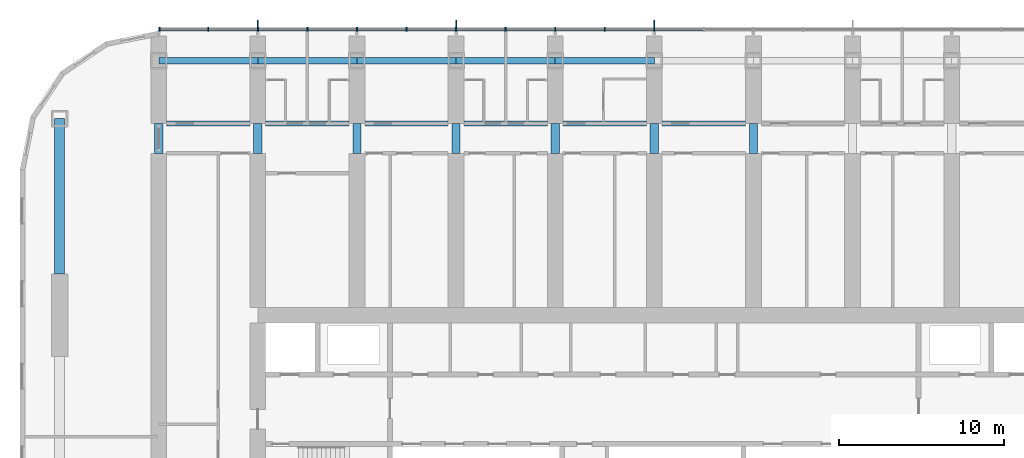
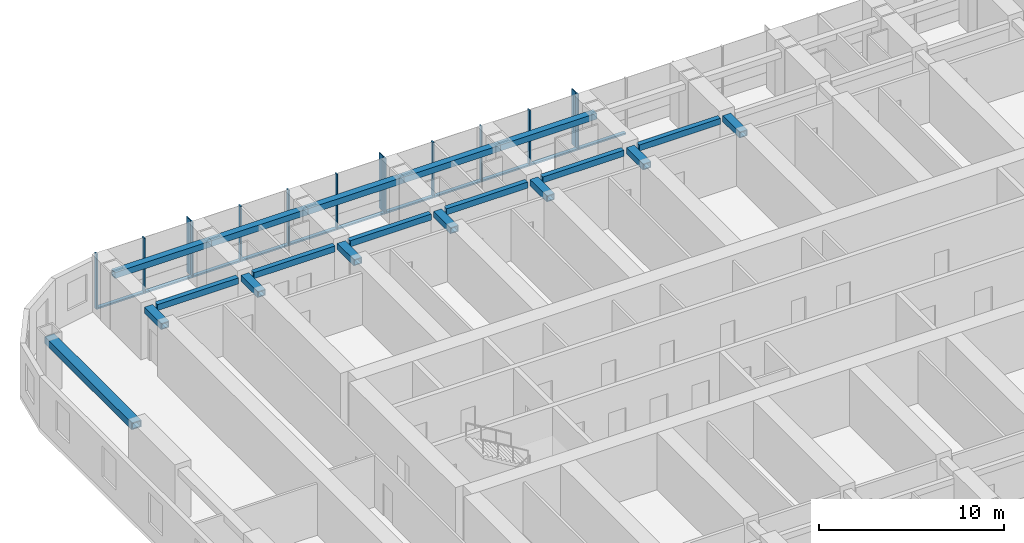
# One storey, part 4 of 20: 25 members, 19 beams, 1 element without a shape of its own.
"""IFC4 building model written with IfcOpenShell, lengths in metres."""

from ifc_helpers import new_model, si_unit, direction, frame, origin, origin_2d, place, context, subcontext, project, spatial, rectangle, hollow_rectangle, extrude, material, material_profile, profile_set, type_object, element, aggregate, save


model = new_model("IFC4")

# Units and contexts
model_context = context("Model", 3, precision=1e-05, world=origin(), true_north=direction((0.0, 1.0)))
body_context = subcontext(model_context, "Body", "Model", "MODEL_VIEW")
ifc_project = project(units=[si_unit("LENGTHUNIT", "METRE"), si_unit("AREAUNIT", "SQUARE_METRE"), si_unit("VOLUMEUNIT", "CUBIC_METRE"), si_unit("PLANEANGLEUNIT", "RADIAN"), si_unit("MASSUNIT", "GRAM", prefix="KILO")], contexts=[model_context])

# Site, building, storey
site_placement = place(None, origin())
site = spatial("IfcSite", under=ifc_project, at=site_placement, CompositionType="ELEMENT")
building_placement = place(site_placement, origin())
building = spatial("IfcBuilding", under=site, at=building_placement, Name="Orbita Commons", CompositionType="ELEMENT")
storey_placement = place(building_placement, frame((0.0, 0.0, 129.39990234375)))
storey = spatial("IfcBuildingStorey", under=building, at=storey_placement, Name="L32", CompositionType="ELEMENT", Elevation=129.39990234375)

# Curtain wall, members
ifc_material_1 = material(Name="Anodised aluminium frame, pale silver", Category="aluminium")
curtain_wall_type = type_object("IfcCurtainWallType", Name="Unitised curtain wall CW-T, vision and spandrel", PredefinedType="NOTDEFINED", material=ifc_material_1)
curtain_wall_placement = place(storey_placement, origin())
curtain_wall = element("IfcCurtainWall", 1, at=curtain_wall_placement, inside=storey, type_object=curtain_wall_type, Name="Curtain wall north L32", PredefinedType="NOTDEFINED")
ifc_material_2 = material(Name="Anodised aluminium, pale silver", Category="aluminium")
ifc_material_profile_1 = material_profile(ifc_material_2, rectangle(XDim=0.080078125, YDim=0.219970703125, at=origin_2d()), Name="AL 80x220")
ifc_profile_set_1 = profile_set([ifc_material_profile_1], Name="Anodised aluminium, pale silver")
member_type_1 = type_object("IfcMemberType", Name="Curtain wall mullion 80x220", PredefinedType="MULLION", material=ifc_profile_set_1)
member_1_placement = place(storey_placement, frame((42.0, 55.510009765625, -0.25), z_axis=(0.0, 0.0, 1.0), x_axis=(-1.0, 0.0, 0.0)))
member_1 = element("IfcMember", 2, at=member_1_placement, type_object=member_type_1, Name="Mullion 9 CW-L32-N", PredefinedType="MULLION", context=body_context, shape_type="SweptSolid", body=[
    extrude(rectangle(XDim=0.080078125, YDim=0.219970703125, at=origin_2d()), origin(), (0.0, 0.0, 1.0), 3.650146484375),
])
member_2_placement = place(storey_placement, frame((39.0, 55.510009765625, -0.25), z_axis=(0.0, 0.0, 1.0), x_axis=(-1.0, 0.0, 0.0)))
member_2 = element("IfcMember", 3, at=member_2_placement, type_object=member_type_1, Name="Mullion 10 CW-L32-N", PredefinedType="MULLION", context=body_context, shape_type="SweptSolid", body=[
    extrude(rectangle(XDim=0.080078125, YDim=0.219970703125, at=origin_2d()), origin(), (0.0, 0.0, 1.0), 3.650146484375),
])
member_3_placement = place(storey_placement, frame((36.0, 55.510009765625, -0.25), z_axis=(0.0, 0.0, 1.0), x_axis=(-1.0, 0.0, 0.0)))
member_3 = element("IfcMember", 4, at=member_3_placement, type_object=member_type_1, Name="Mullion 11 CW-L32-N", PredefinedType="MULLION", context=body_context, shape_type="SweptSolid", body=[
    extrude(rectangle(XDim=0.080078125, YDim=0.219970703125, at=origin_2d()), origin(), (0.0, 0.0, 1.0), 3.650146484375),
])
member_4_placement = place(storey_placement, frame((33.0, 55.510009765625, -0.25), z_axis=(0.0, 0.0, 1.0), x_axis=(-1.0, 0.0, 0.0)))
member_4 = element("IfcMember", 5, at=member_4_placement, type_object=member_type_1, Name="Mullion 12 CW-L32-N", PredefinedType="MULLION", context=body_context, shape_type="SweptSolid", body=[
    extrude(rectangle(XDim=0.080078125, YDim=0.219970703125, at=origin_2d()), origin(), (0.0, 0.0, 1.0), 3.650146484375),
])
member_5_placement = place(storey_placement, frame((30.0, 55.510009765625, -0.25), z_axis=(0.0, 0.0, 1.0), x_axis=(-1.0, 0.0, 0.0)))
member_5 = element("IfcMember", 6, at=member_5_placement, type_object=member_type_1, Name="Mullion 13 CW-L32-N", PredefinedType="MULLION", context=body_context, shape_type="SweptSolid", body=[
    extrude(rectangle(XDim=0.080078125, YDim=0.219970703125, at=origin_2d()), origin(), (0.0, 0.0, 1.0), 3.650146484375),
])
member_6_placement = place(storey_placement, frame((27.0, 55.510009765625, -0.25), z_axis=(0.0, 0.0, 1.0), x_axis=(-1.0, 0.0, 0.0)))
member_6 = element("IfcMember", 7, at=member_6_placement, type_object=member_type_1, Name="Mullion 14 CW-L32-N", PredefinedType="MULLION", context=body_context, shape_type="SweptSolid", body=[
    extrude(rectangle(XDim=0.080078125, YDim=0.219970703125, at=origin_2d()), origin(), (0.0, 0.0, 1.0), 3.650146484375),
])
member_7_placement = place(storey_placement, frame((24.0, 55.510009765625, -0.25), z_axis=(0.0, 0.0, 1.0), x_axis=(-1.0, 0.0, 0.0)))
member_7 = element("IfcMember", 8, at=member_7_placement, type_object=member_type_1, Name="Mullion 15 CW-L32-N", PredefinedType="MULLION", context=body_context, shape_type="SweptSolid", body=[
    extrude(rectangle(XDim=0.080078125, YDim=0.219970703125, at=origin_2d()), origin(), (0.0, 0.0, 1.0), 3.650146484375),
])
member_8_placement = place(storey_placement, frame((21.0, 55.510009765625, -0.25), z_axis=(0.0, 0.0, 1.0), x_axis=(-1.0, 0.0, 0.0)))
member_8 = element("IfcMember", 9, at=member_8_placement, type_object=member_type_1, Name="Mullion 16 CW-L32-N", PredefinedType="MULLION", context=body_context, shape_type="SweptSolid", body=[
    extrude(rectangle(XDim=0.080078125, YDim=0.219970703125, at=origin_2d()), origin(), (0.0, 0.0, 1.0), 3.650146484375),
])
member_9_placement = place(storey_placement, frame((18.0, 55.510009765625, -0.25), z_axis=(0.0, 0.0, 1.0), x_axis=(-1.0, 0.0, 0.0)))
member_9 = element("IfcMember", 10, at=member_9_placement, type_object=member_type_1, Name="Mullion 17 CW-L32-N", PredefinedType="MULLION", context=body_context, shape_type="SweptSolid", body=[
    extrude(rectangle(XDim=0.080078125, YDim=0.219970703125, at=origin_2d()), origin(), (0.0, 0.0, 1.0), 3.650146484375),
])
member_10_placement = place(storey_placement, frame((15.0, 55.510009765625, -0.25), z_axis=(0.0, 0.0, 1.0), x_axis=(-1.0, 0.0, 0.0)))
member_10 = element("IfcMember", 11, at=member_10_placement, type_object=member_type_1, Name="Mullion 18 CW-L32-N", PredefinedType="MULLION", context=body_context, shape_type="SweptSolid", body=[
    extrude(rectangle(XDim=0.080078125, YDim=0.219970703125, at=origin_2d()), origin(), (0.0, 0.0, 1.0), 3.650146484375),
])
member_11_placement = place(storey_placement, frame((12.0400390625, 55.510009765625, -0.25), z_axis=(0.0, 0.0, 1.0), x_axis=(-1.0, 0.0, 0.0)))
member_11 = element("IfcMember", 12, at=member_11_placement, type_object=member_type_1, Name="Mullion 19 CW-L32-N", PredefinedType="MULLION", context=body_context, shape_type="SweptSolid", body=[
    extrude(rectangle(XDim=0.080078125, YDim=0.219970703125, at=origin_2d()), origin(), (0.0, 0.0, 1.0), 3.650146484375),
])
ifc_material_3 = material(Name="Anodised aluminium, pale silver", Category="aluminium")
ifc_material_profile_2 = material_profile(ifc_material_3, rectangle(XDim=0.219970703125, YDim=0.10009765625, at=origin_2d()), Name="AL 220x100")
ifc_profile_set_2 = profile_set([ifc_material_profile_2], Name="Anodised aluminium, pale silver")
member_type_2 = type_object("IfcMemberType", Name="Curtain wall stack transom 220x100", PredefinedType="USERDEFINED", material=ifc_profile_set_2)
member_12_placement = place(storey_placement, frame((44.9599609375, 55.510009765625, -0.199951171875), z_axis=(-1.0, 0.0, 0.0), x_axis=(0.0, -1.0, 0.0)))
member_12 = element("IfcMember", 13, at=member_12_placement, type_object=member_type_2, Name="Transom 8.1 CW-L32-N", ObjectType="TRANSOM", PredefinedType="USERDEFINED", context=body_context, shape_type="SweptSolid", body=[
    extrude(rectangle(XDim=0.219970703125, YDim=0.10009765625, at=origin_2d()), origin(), (0.0, 0.0, 1.0), 2.919921875),
])
member_13_placement = place(storey_placement, frame((41.9599609375, 55.510009765625, -0.199951171875), z_axis=(-1.0, 0.0, 0.0), x_axis=(0.0, -1.0, 0.0)))
member_13 = element("IfcMember", 14, at=member_13_placement, type_object=member_type_2, Name="Transom 9.1 CW-L32-N", ObjectType="TRANSOM", PredefinedType="USERDEFINED", context=body_context, shape_type="SweptSolid", body=[
    extrude(rectangle(XDim=0.219970703125, YDim=0.10009765625, at=origin_2d()), origin(), (0.0, 0.0, 1.0), 2.919921875),
])
member_14_placement = place(storey_placement, frame((38.9599609375, 55.510009765625, -0.199951171875), z_axis=(-1.0, 0.0, 0.0), x_axis=(0.0, -1.0, 0.0)))
member_14 = element("IfcMember", 15, at=member_14_placement, type_object=member_type_2, Name="Transom 10.1 CW-L32-N", ObjectType="TRANSOM", PredefinedType="USERDEFINED", context=body_context, shape_type="SweptSolid", body=[
    extrude(rectangle(XDim=0.219970703125, YDim=0.10009765625, at=origin_2d()), origin(), (0.0, 0.0, 1.0), 2.919921875),
])
member_15_placement = place(storey_placement, frame((35.9599609375, 55.510009765625, -0.199951171875), z_axis=(-1.0, 0.0, 0.0), x_axis=(0.0, -1.0, 0.0)))
member_15 = element("IfcMember", 16, at=member_15_placement, type_object=member_type_2, Name="Transom 11.1 CW-L32-N", ObjectType="TRANSOM", PredefinedType="USERDEFINED", context=body_context, shape_type="SweptSolid", body=[
    extrude(rectangle(XDim=0.219970703125, YDim=0.10009765625, at=origin_2d()), origin(), (0.0, 0.0, 1.0), 2.919921875),
])
member_16_placement = place(storey_placement, frame((32.9599609375, 55.510009765625, -0.199951171875), z_axis=(-1.0, 0.0, 0.0), x_axis=(0.0, -1.0, 0.0)))
member_16 = element("IfcMember", 17, at=member_16_placement, type_object=member_type_2, Name="Transom 12.1 CW-L32-N", ObjectType="TRANSOM", PredefinedType="USERDEFINED", context=body_context, shape_type="SweptSolid", body=[
    extrude(rectangle(XDim=0.219970703125, YDim=0.10009765625, at=origin_2d()), origin(), (0.0, 0.0, 1.0), 2.919921875),
])
member_17_placement = place(storey_placement, frame((29.9599609375, 55.510009765625, -0.199951171875), z_axis=(-1.0, 0.0, 0.0), x_axis=(0.0, -1.0, 0.0)))
member_17 = element("IfcMember", 18, at=member_17_placement, type_object=member_type_2, Name="Transom 13.1 CW-L32-N", ObjectType="TRANSOM", PredefinedType="USERDEFINED", context=body_context, shape_type="SweptSolid", body=[
    extrude(rectangle(XDim=0.219970703125, YDim=0.10009765625, at=origin_2d()), origin(), (0.0, 0.0, 1.0), 2.919921875),
])
member_18_placement = place(storey_placement, frame((26.9599609375, 55.510009765625, -0.199951171875), z_axis=(-1.0, 0.0, 0.0), x_axis=(0.0, -1.0, 0.0)))
member_18 = element("IfcMember", 19, at=member_18_placement, type_object=member_type_2, Name="Transom 14.1 CW-L32-N", ObjectType="TRANSOM", PredefinedType="USERDEFINED", context=body_context, shape_type="SweptSolid", body=[
    extrude(rectangle(XDim=0.219970703125, YDim=0.10009765625, at=origin_2d()), origin(), (0.0, 0.0, 1.0), 2.919921875),
])
member_19_placement = place(storey_placement, frame((23.9599609375, 55.510009765625, -0.199951171875), z_axis=(-1.0, 0.0, 0.0), x_axis=(0.0, -1.0, 0.0)))
member_19 = element("IfcMember", 20, at=member_19_placement, type_object=member_type_2, Name="Transom 15.1 CW-L32-N", ObjectType="TRANSOM", PredefinedType="USERDEFINED", context=body_context, shape_type="SweptSolid", body=[
    extrude(rectangle(XDim=0.219970703125, YDim=0.10009765625, at=origin_2d()), origin(), (0.0, 0.0, 1.0), 2.919921875),
])
member_20_placement = place(storey_placement, frame((20.9599609375, 55.510009765625, -0.199951171875), z_axis=(-1.0, 0.0, 0.0), x_axis=(0.0, -1.0, 0.0)))
member_20 = element("IfcMember", 21, at=member_20_placement, type_object=member_type_2, Name="Transom 16.1 CW-L32-N", ObjectType="TRANSOM", PredefinedType="USERDEFINED", context=body_context, shape_type="SweptSolid", body=[
    extrude(rectangle(XDim=0.219970703125, YDim=0.10009765625, at=origin_2d()), origin(), (0.0, 0.0, 1.0), 2.919921875),
])
member_21_placement = place(storey_placement, frame((17.9599609375, 55.510009765625, -0.199951171875), z_axis=(-1.0, 0.0, 0.0), x_axis=(0.0, -1.0, 0.0)))
member_21 = element("IfcMember", 22, at=member_21_placement, type_object=member_type_2, Name="Transom 17.1 CW-L32-N", ObjectType="TRANSOM", PredefinedType="USERDEFINED", context=body_context, shape_type="SweptSolid", body=[
    extrude(rectangle(XDim=0.219970703125, YDim=0.10009765625, at=origin_2d()), origin(), (0.0, 0.0, 1.0), 2.919921875),
])
member_22_placement = place(storey_placement, frame((14.9599609375, 55.510009765625, -0.199951171875), z_axis=(-1.0, 0.0, 0.0), x_axis=(0.0, -1.0, 0.0)))
member_22 = element("IfcMember", 23, at=member_22_placement, type_object=member_type_2, Name="Transom 18.1 CW-L32-N", ObjectType="TRANSOM", PredefinedType="USERDEFINED", context=body_context, shape_type="SweptSolid", body=[
    extrude(rectangle(XDim=0.219970703125, YDim=0.10009765625, at=origin_2d()), origin(), (0.0, 0.0, 1.0), 2.8798828125),
])

# Beams
ifc_material_4 = material(Name="Steel ASTM A572 Gr 50 welded plate", Category="steel")
ifc_material_profile_3 = material_profile(ifc_material_4, hollow_rectangle(XDim=0.300048828125, YDim=0.39990234375, WallThickness=0.0400390625, at=origin_2d()), Name="BOX 400x300x40")
ifc_profile_set_3 = profile_set([ifc_material_profile_3], Name="Steel ASTM A572 Gr 50 welded plate")
beam_type_1 = type_object("IfcBeamType", Name="Steel corridor link BOX 400x300x40", PredefinedType="BEAM", material=ifc_profile_set_3)
for number, where, z_axis, x_axis, name in (
    (24, (12.47509765625, 49.800048828125, 3.2001953125), (1.0, 0.0, 0.0), (0.0, 1.0, 0.0), "Corridor beam NB 3-4 L32"),
    (25, (18.47509765625, 49.800048828125, 3.2001953125), (1.0, 0.0, 0.0), (0.0, 1.0, 0.0), "Corridor beam NB 4-5 L32"),
    (26, (24.47509765625, 49.800048828125, 3.2001953125), (1.0, 0.0, 0.0), (0.0, 1.0, 0.0), "Corridor beam NB 5-6 L32"),
    (27, (30.47509765625, 49.800048828125, 3.2001953125), (1.0, 0.0, 0.0), (0.0, 1.0, 0.0), "Corridor beam NB 6-7 L32"),
    (28, (36.47509765625, 49.800048828125, 3.2001953125), (1.0, 0.0, 0.0), (0.0, 1.0, 0.0), "Corridor beam NB 7-8 L32"),
    (29, (42.47509765625, 49.800048828125, 3.2001953125), (1.0, 0.0, 0.0), (0.0, 1.0, 0.0), "Corridor beam NB 8-9 L32"),
):
    element("IfcBeam", number, at=place(storey_placement, frame(where, z_axis=z_axis, x_axis=x_axis)), inside=storey, type_object=beam_type_1, Name=name, PredefinedType="BEAM", context=body_context, shape_type="SweptSolid", body=[
        extrude(hollow_rectangle(XDim=0.300048828125, YDim=0.39990234375, WallThickness=0.0400390625, at=origin_2d()), origin(), (0.0, 0.0, 1.0), 5.0498046875),
    ])
ifc_material_5 = material(Name="Steel ASTM A572 Gr 50 welded plate", Category="steel")
ifc_material_profile_4 = material_profile(ifc_material_5, hollow_rectangle(XDim=0.5, YDim=0.39990234375, WallThickness=0.050048828125, at=origin_2d()), Name="BOX 400x500x50")
ifc_profile_set_4 = profile_set([ifc_material_profile_4], Name="Steel ASTM A572 Gr 50 welded plate")
beam_type_2 = type_object("IfcBeamType", Name="Steel coupling link BOX 400x500x50", PredefinedType="LINTEL", material=ifc_profile_set_4)
for number, where, z_axis, x_axis, name in (
    (30, (12.0, 48.0, 3.2001953125), (0.0, 1.0, 0.0), (-1.0, 0.0, 0.0), "Coupling beam 3 north L32"),
    (31, (18.0, 48.0, 3.2001953125), (0.0, 1.0, 0.0), (-1.0, 0.0, 0.0), "Coupling beam 4 north L32"),
    (32, (24.0, 48.0, 3.2001953125), (0.0, 1.0, 0.0), (-1.0, 0.0, 0.0), "Coupling beam 5 north L32"),
    (33, (30.0, 48.0, 3.2001953125), (0.0, 1.0, 0.0), (-1.0, 0.0, 0.0), "Coupling beam 6 north L32"),
    (34, (36.0, 48.0, 3.2001953125), (0.0, 1.0, 0.0), (-1.0, 0.0, 0.0), "Coupling beam 7 north L32"),
    (35, (42.0, 48.0, 3.2001953125), (0.0, 1.0, 0.0), (-1.0, 0.0, 0.0), "Coupling beam 8 north L32"),
    (36, (48.0, 48.0, 3.2001953125), (0.0, 1.0, 0.0), (-1.0, 0.0, 0.0), "Coupling beam 9 north L32"),
):
    element("IfcBeam", number, at=place(storey_placement, frame(where, z_axis=z_axis, x_axis=x_axis)), inside=storey, type_object=beam_type_2, Name=name, PredefinedType="LINTEL", context=body_context, shape_type="SweptSolid", body=[
        extrude(hollow_rectangle(XDim=0.5, YDim=0.39990234375, WallThickness=0.050048828125, at=origin_2d()), origin(), (0.0, 0.0, 1.0), 1.800048828125),
    ])
ifc_material_6 = material(Name="Steel ASTM A572 Gr 50 welded plate", Category="steel")
ifc_material_profile_5 = material_profile(ifc_material_6, hollow_rectangle(XDim=0.60009765625, YDim=0.449951171875, WallThickness=0.06005859375, at=origin_2d()), Name="BOX 450x600x60")
ifc_profile_set_5 = profile_set([ifc_material_profile_5], Name="Steel ASTM A572 Gr 50 welded plate")
beam_type_3 = type_object("IfcBeamType", Name="Steel end frame link BOX 450x600x60", PredefinedType="BEAM", material=ifc_profile_set_5)
beam_placement = place(storey_placement, frame((6.0, 40.699951171875, 3.175048828125), z_axis=(0.0, 1.0, 0.0), x_axis=(-1.0, 0.0, 0.0)))
element("IfcBeam", 37, at=beam_placement, inside=storey, type_object=beam_type_3, Name="End frame beam 2 D-E L32", PredefinedType="BEAM", context=body_context, shape_type="SweptSolid", body=[
    extrude(hollow_rectangle(XDim=0.60009765625, YDim=0.449951171875, WallThickness=0.06005859375, at=origin_2d()), origin(), (0.0, 0.0, 1.0), 9.400146484375),
])
ifc_material_7 = material(Name="Steel ASTM A572 Gr 50 welded plate", Category="steel")
ifc_material_profile_6 = material_profile(ifc_material_7, hollow_rectangle(XDim=0.39990234375, YDim=0.39990234375, WallThickness=0.0400390625, at=origin_2d()), Name="BOX 400x400x40")
ifc_profile_set_6 = profile_set([ifc_material_profile_6], Name="Steel ASTM A572 Gr 50 welded plate")
beam_type_4 = type_object("IfcBeamType", Name="Steel spandrel BOX 400x400x40", PredefinedType="SPANDREL", material=ifc_profile_set_6)
for number, where, z_axis, x_axis, name in (
    (38, (12.0, 53.60009765625, 3.2001953125), (1.0, 0.0, 0.0), (0.0, 1.0, 0.0), "Spandrel beam E 3-4 L32"),
    (39, (18.0, 53.60009765625, 3.2001953125), (1.0, 0.0, 0.0), (0.0, 1.0, 0.0), "Spandrel beam E 4-5 L32"),
    (40, (24.0, 53.60009765625, 3.2001953125), (1.0, 0.0, 0.0), (0.0, 1.0, 0.0), "Spandrel beam E 5-6 L32"),
    (41, (30.0, 53.60009765625, 3.2001953125), (1.0, 0.0, 0.0), (0.0, 1.0, 0.0), "Spandrel beam E 6-7 L32"),
    (42, (36.0, 53.60009765625, 3.2001953125), (1.0, 0.0, 0.0), (0.0, 1.0, 0.0), "Spandrel beam E 7-8 L32"),
):
    element("IfcBeam", number, at=place(storey_placement, frame(where, z_axis=z_axis, x_axis=x_axis)), inside=storey, type_object=beam_type_4, Name=name, PredefinedType="SPANDREL", context=body_context, shape_type="SweptSolid", body=[
        extrude(hollow_rectangle(XDim=0.39990234375, YDim=0.39990234375, WallThickness=0.0400390625, at=origin_2d()), origin(), (0.0, 0.0, 1.0), 6.0),
    ])

# Member
ifc_material_8 = material(Name="Anodised aluminium, pale silver", Category="aluminium")
ifc_material_profile_7 = material_profile(ifc_material_8, rectangle(XDim=0.06005859375, YDim=0.449951171875, at=origin_2d()), Name="FIN 60x450")
ifc_profile_set_7 = profile_set([ifc_material_profile_7], Name="Anodised aluminium, pale silver")
member_type_3 = type_object("IfcMemberType", Name="Vertical fin 60x450 pale aluminium", PredefinedType="USERDEFINED", material=ifc_profile_set_7)
member_23_placement = place(storey_placement, frame((42.0, 55.844970703125, -0.25), z_axis=(0.0, 0.0, 1.0), x_axis=(-1.0, 0.0, 0.0)))
member_23 = element("IfcMember", 43, at=member_23_placement, type_object=member_type_3, Name="Fin 9 CW-L32-N", ObjectType="FIN", PredefinedType="USERDEFINED", context=body_context, shape_type="SweptSolid", body=[
    extrude(rectangle(XDim=0.06005859375, YDim=0.449951171875, at=origin_2d()), origin(), (0.0, 0.0, 1.0), 3.650146484375),
])

member_24_placement = place(storey_placement, frame((30.0, 55.844970703125, -0.25), z_axis=(0.0, 0.0, 1.0), x_axis=(-1.0, 0.0, 0.0)))
member_24 = element("IfcMember", 44, at=member_24_placement, type_object=member_type_3, Name="Fin 13 CW-L32-N", ObjectType="FIN", PredefinedType="USERDEFINED", context=body_context, shape_type="SweptSolid", body=[
    extrude(rectangle(XDim=0.06005859375, YDim=0.449951171875, at=origin_2d()), origin(), (0.0, 0.0, 1.0), 3.650146484375),
])

member_25_placement = place(storey_placement, frame((18.0, 55.844970703125, -0.25), z_axis=(0.0, 0.0, 1.0), x_axis=(-1.0, 0.0, 0.0)))
member_25 = element("IfcMember", 45, at=member_25_placement, type_object=member_type_3, Name="Fin 17 CW-L32-N", ObjectType="FIN", PredefinedType="USERDEFINED", context=body_context, shape_type="SweptSolid", body=[
    extrude(rectangle(XDim=0.06005859375, YDim=0.449951171875, at=origin_2d()), origin(), (0.0, 0.0, 1.0), 3.650146484375),
])

aggregate(curtain_wall, [member_1, member_23, member_2, member_3, member_4, member_5, member_24, member_6, member_7, member_8, member_9, member_25, member_10, member_11, member_12, member_13, member_14, member_15, member_16, member_17, member_18, member_19, member_20, member_21, member_22])

save(model, "model.ifc")
